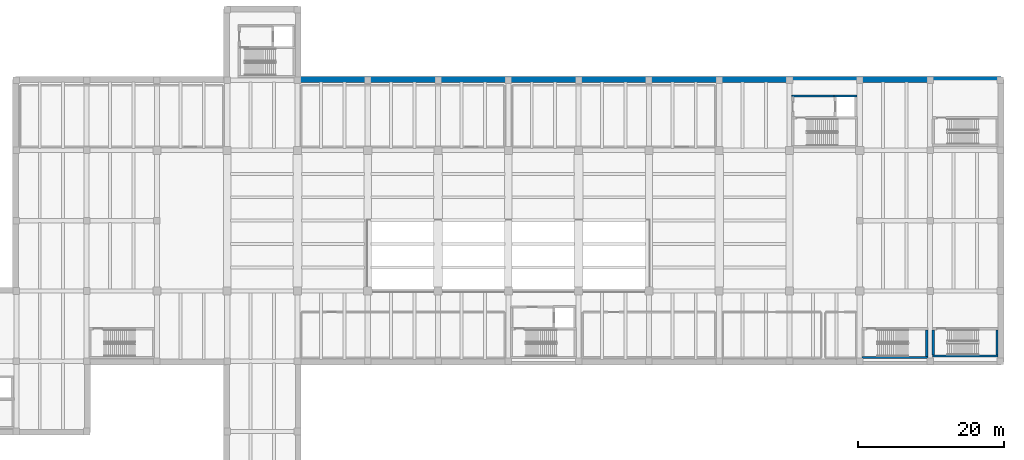
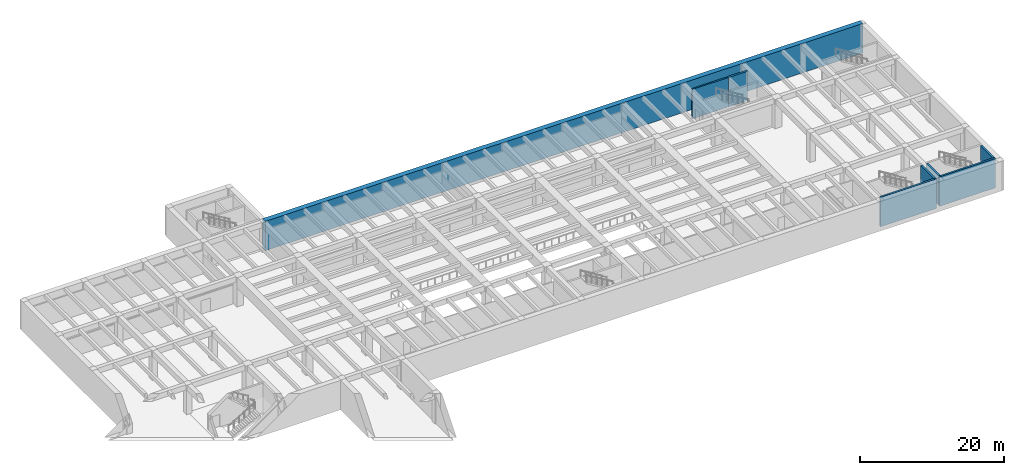
# One storey, part 9 of 19: 8 walls.
"""IFC4 building model written with IfcOpenShell, lengths in metres."""

import ifcopenshell
import ifcopenshell.guid

model = None  # the IFC model being written
_history = None  # IfcOwnerHistory: only IFC2X3 demands one
_inside = {}  # id of a spatial element -> (the spatial element, [elements in it])
_under = {}  # id of a project, library or spatial element -> (it, [spatial elements below it])
_declared = {}  # id of a project -> (the project, [libraries it declares])
_typed = {}  # id of a type object -> (the type object, [elements of that type])
_made_of = {}  # id of a material, layer set ... -> (it, [elements and type objects made of it])


def new_model(schema):
    """Start an empty IFC model of exactly this schema.

    Asked for "IFC4X3", IfcOpenShell would pick the latest addendum, in which some entities
    have other attributes; the version numbers below select the first issue.
    IFC2X3 requires an IfcOwnerHistory on every rooted entity: one is made here for all.
    """
    global model, _history
    if schema == "IFC4X3":
        model = ifcopenshell.file(schema_version=(4, 3, 0, 0))
    else:
        model = ifcopenshell.file(schema=schema)
    _inside.clear()
    _under.clear()
    _declared.clear()
    _typed.clear()
    _made_of.clear()
    _history = None
    if model.schema == "IFC2X3":
        org = make("IfcOrganization", Name="unknown")
        user = make(
            "IfcPersonAndOrganization",
            ThePerson=make("IfcPerson", FamilyName="unknown"),
            TheOrganization=org,
        )
        app = make(
            "IfcApplication",
            ApplicationDeveloper=org,
            Version="unknown",
            ApplicationFullName="unknown",
            ApplicationIdentifier="unknown",
        )
        _history = make(
            "IfcOwnerHistory",
            OwningUser=user,
            OwningApplication=app,
            ChangeAction="ADDED",
            CreationDate=0,
        )
    return model


def make(cls, **values):
    """One entity of the class cls with the attributes given. An attribute that is None is left unset."""
    return model.create_entity(
        cls, **{name: value for name, value in values.items() if value is not None}
    )


def rooted(cls, **values):
    """An entity with a GlobalId (a new one), such as an element, a storey or a relation."""
    return make(cls, GlobalId=ifcopenshell.guid.new(), OwnerHistory=_history, **values)


def si_unit(unit_type, name, prefix=None):
    """IfcSIUnit, for example si_unit("LENGTHUNIT", "METRE", prefix="MILLI")."""
    return make("IfcSIUnit", UnitType=unit_type, Prefix=prefix, Name=name)


def assignment(units):
    """IfcUnitAssignment: the units of a project."""
    return None if units is None else make("IfcUnitAssignment", Units=units)


def point(xyz):
    """IfcCartesianPoint."""
    return None if xyz is None else make("IfcCartesianPoint", Coordinates=xyz)


def direction(xyz):
    """IfcDirection."""
    return None if xyz is None else make("IfcDirection", DirectionRatios=xyz)


def frame(location, z_axis=None, x_axis=None):
    """IfcAxis2Placement3D, a coordinate frame: its origin and axes. An axis left out is left unset."""
    return make(
        "IfcAxis2Placement3D",
        Location=point(location),
        Axis=direction(z_axis),
        RefDirection=direction(x_axis),
    )


def frame_2d(location, x_axis=None):
    """IfcAxis2Placement2D, a coordinate frame in the plane: its origin and x axis."""
    return make(
        "IfcAxis2Placement2D", Location=point(location), RefDirection=direction(x_axis)
    )


def origin():
    """The frame at (0, 0, 0) with its axes left unset."""
    return frame((0.0, 0.0, 0.0))


def place(relative_to, where):
    """IfcLocalPlacement: puts the frame where relative to a parent placement (None: the world)."""
    return make(
        "IfcLocalPlacement", PlacementRelTo=relative_to, RelativePlacement=where
    )


def context(
    kind, dimensions, precision=None, world=None, true_north=None, identifier=None
):
    """IfcGeometricRepresentationContext, for example the 3D "Model" context."""
    return make(
        "IfcGeometricRepresentationContext",
        ContextIdentifier=identifier,
        ContextType=kind,
        CoordinateSpaceDimension=dimensions,
        Precision=precision,
        WorldCoordinateSystem=world,
        TrueNorth=true_north,
    )


def subcontext(parent, identifier, kind, view, scale=None):
    """IfcGeometricRepresentationSubContext, for example "Body" below "Model"."""
    return make(
        "IfcGeometricRepresentationSubContext",
        ContextIdentifier=identifier,
        ContextType=kind,
        ParentContext=parent,
        TargetScale=scale,
        TargetView=view,
    )


def project(units=None, contexts=None):
    """IfcProject with its units and contexts."""
    return rooted(
        "IfcProject",
        Name="project",
        RepresentationContexts=contexts,
        UnitsInContext=assignment(units),
    )


def spatial(cls, under=None, at=None, **own):
    """A site, building, storey or space (cls), placed at a placement, below another one or the project."""
    s = rooted(cls, ObjectPlacement=at, **own)
    if under is not None:
        _under.setdefault(under.id(), (under, []))[1].append(s)
    return s


def profile(cls, at=None, kind="AREA", **sizes):
    """A parametric profile (cls). Its sizes go by their IFC names, for example OverallWidth=200.0."""
    return make(cls, ProfileType=kind, Position=at, **sizes)


def rectangle(**sizes):
    """IfcRectangleProfileDef."""
    return profile("IfcRectangleProfileDef", **sizes)


def extrude(swept, where, along, depth):
    """IfcExtrudedAreaSolid: the profile swept, set in the frame where, extruded along a direction by depth."""
    return make(
        "IfcExtrudedAreaSolid",
        SweptArea=swept,
        Position=where,
        ExtrudedDirection=direction(along),
        Depth=depth,
    )


def shape(context_of_items, identifier, shape_type, items):
    """IfcShapeRepresentation: the items that make up one representation, for example the "Body"."""
    return make(
        "IfcShapeRepresentation",
        ContextOfItems=context_of_items,
        RepresentationIdentifier=identifier,
        RepresentationType=shape_type,
        Items=items,
    )


def material(Name=None, Category=None):
    """IfcMaterial."""
    return make("IfcMaterial", Name=Name, Category=Category)


def layer(
    of_material, thickness, ventilated=None, Name=None, Category=None, Priority=None
):
    """IfcMaterialLayer: one layer of a wall or slab, of a material (None: an air gap)."""
    return make(
        "IfcMaterialLayer",
        Material=of_material,
        LayerThickness=thickness,
        IsVentilated=ventilated,
        Name=Name,
        Category=Category,
        Priority=Priority,
    )


def layer_set(layers, Name=None):
    """IfcMaterialLayerSet."""
    return make("IfcMaterialLayerSet", MaterialLayers=layers, LayerSetName=Name)


def made_of(thing, what):
    """Note that an element or type object is made of a material, layer set ...; save() writes the relation."""
    if what is not None:
        _made_of.setdefault(what.id(), (what, []))[1].append(thing)
    return thing


def type_object(cls, material=None, **own):
    """A type object (cls), such as IfcWallType, which elements share."""
    return made_of(rooted(cls, **own), material)


def element(
    cls,
    number,
    at=None,
    inside=None,
    cuts=None,
    type_object=None,
    material=None,
    context=None,
    identifier="Body",
    shape_type=None,
    held_by="IfcProductDefinitionShape",
    body=None,
    shapes=None,
    **own,
):
    """One element of the class cls, such as IfcWall. Its Tag is "e" and its number.

    at: its placement. inside: the storey or other place that contains it. cuts: it is an
    opening in that element (IfcRelVoidsElement). A single representation is given by context,
    identifier, shape_type and body (its items); several are given by shapes. held_by: the class
    of the entity that holds the representations. save() writes the other relations.
    """
    e = rooted(cls, Tag="e%d" % number, ObjectPlacement=at, **own)
    if body is not None:
        shapes = [shape(context, identifier, shape_type, body)]
    if shapes is not None:
        e.Representation = make(held_by, Representations=shapes)
    if inside is not None:
        _inside.setdefault(inside.id(), (inside, []))[1].append(e)
    if cuts is not None:
        rooted(
            "IfcRelVoidsElement", RelatingBuildingElement=cuts, RelatedOpeningElement=e
        )
    if type_object is not None:
        _typed.setdefault(type_object.id(), (type_object, []))[1].append(e)
    return made_of(e, material)


def aggregate(whole, parts):
    """IfcRelAggregates: a whole, such as a stair, and the parts it consists of."""
    return rooted("IfcRelAggregates", RelatingObject=whole, RelatedObjects=parts)


def save(model, path):
    """Write the relations noted so far, then the file.

    IfcRelAggregates (storeys below a building ...), IfcRelContainedInSpatialStructure (elements
    in a storey), IfcRelDefinesByType, IfcRelAssociatesMaterial and IfcRelDeclares: one each for
    every whole, place, type object, material and project.
    """
    for whole, parts in _under.values():
        aggregate(whole, parts)
    for where, things in _inside.values():
        rooted(
            "IfcRelContainedInSpatialStructure",
            RelatedElements=things,
            RelatingStructure=where,
        )
    for kind, things in _typed.values():
        rooted("IfcRelDefinesByType", RelatedObjects=things, RelatingType=kind)
    for what, things in _made_of.values():
        rooted("IfcRelAssociatesMaterial", RelatedObjects=things, RelatingMaterial=what)
    for by, libraries in _declared.values():
        rooted("IfcRelDeclares", RelatingContext=by, RelatedDefinitions=libraries)
    model.write(path)


model = new_model("IFC4")

# Units and contexts
model_context = context("Model", 3, precision=1e-05, world=origin(), true_north=direction((0.0, 1.0)))
body_context = subcontext(model_context, "Body", "Model", "MODEL_VIEW")
ifc_project = project(units=[si_unit("LENGTHUNIT", "METRE"), si_unit("AREAUNIT", "SQUARE_METRE"), si_unit("VOLUMEUNIT", "CUBIC_METRE"), si_unit("PLANEANGLEUNIT", "RADIAN"), si_unit("MASSUNIT", "GRAM", prefix="KILO")], contexts=[model_context])

# Site, building, storey
site_placement = place(None, origin())
site = spatial("IfcSite", under=ifc_project, at=site_placement, CompositionType="ELEMENT")
building_placement = place(site_placement, origin())
building = spatial("IfcBuilding", under=site, at=building_placement, Name="Coralgate Yard Interchange", CompositionType="ELEMENT")
storey_placement = place(building_placement, frame((0.0, 0.0, -5.39990234375)))
storey = spatial("IfcBuildingStorey", under=building, at=storey_placement, Name="B1", CompositionType="ELEMENT", Elevation=-5.39990234375)

# Walls
ifc_material = material(Name="Concrete C40/50", Category="concrete")
ifc_layer_1 = layer(ifc_material, 0.300048828125)
ifc_layer_set_1 = layer_set([ifc_layer_1], Name="Concrete C40/50")
wall_type_1 = type_object("IfcWallType", Name="WAL-CW300", PredefinedType="SHEAR", material=ifc_layer_set_1)
wall_1_placement = place(storey_placement, frame((144.300048828125, 39.110107421875, 0.0), z_axis=(0.0, 0.0, 1.0), x_axis=(1.0, 0.0, 0.0)))
element("IfcWall", 1, at=wall_1_placement, inside=storey, type_object=wall_type_1, Name="C10 B1 stair south shear wall", PredefinedType="SHEAR", context=body_context, shape_type="SweptSolid", body=[
    extrude(rectangle(XDim=9.0, YDim=0.300048828125, at=frame_2d((4.5, 0.0))), origin(), (0.0, 0.0, 1.0), 5.0),
])
for number, where, z_axis, x_axis, name in (
    (2, (144.449951171875, 39.260009765625, 0.0), (0.0, 0.0, 1.0), (0.0, 1.0, 0.0), "C10 B1 stair west shear wall"),
    (3, (153.14990234375, 42.699951171875, 0.0), (0.0, 0.0, 1.0), (0.0, -1.0, 0.0), "C10 B1 stair east shear wall"),
):
    element("IfcWall", number, at=place(storey_placement, frame(where, z_axis=z_axis, x_axis=x_axis)), inside=storey, type_object=wall_type_1, Name=name, PredefinedType="SHEAR", context=body_context, shape_type="SweptSolid", body=[
        extrude(rectangle(XDim=3.43994140625, YDim=0.300048828125, at=frame_2d((1.719970703125, 0.0))), origin(), (0.0, 0.0, 1.0), 5.0),
    ])
wall_2_placement = place(storey_placement, frame((134.699951171875, 38.89990234375, 0.0), z_axis=(0.0, 0.0, 1.0), x_axis=(1.0, 0.0, 0.0)))
element("IfcWall", 4, at=wall_2_placement, inside=storey, type_object=wall_type_1, Name="C13 B1 stair south shear wall", PredefinedType="SHEAR", context=body_context, shape_type="SweptSolid", body=[
    extrude(rectangle(XDim=9.0, YDim=0.300048828125, at=frame_2d((4.5, 0.0))), origin(), (0.0, 0.0, 1.0), 5.0),
])
wall_3_placement = place(storey_placement, frame((143.550048828125, 42.699951171875, 0.0), z_axis=(0.0, 0.0, 1.0), x_axis=(0.0, -1.0, 0.0)))
element("IfcWall", 5, at=wall_3_placement, inside=storey, type_object=wall_type_1, Name="C13 B1 stair east shear wall", PredefinedType="SHEAR", context=body_context, shape_type="SweptSolid", body=[
    extrude(rectangle(XDim=3.64990234375, YDim=0.300048828125, at=frame_2d((1.824951171875, 0.0))), origin(), (0.0, 0.0, 1.0), 5.0),
])
wall_4_placement = place(storey_placement, frame((130.89990234375, 74.64990234375, 0.0), z_axis=(0.0, 0.0, 1.0), x_axis=(1.0, 0.0, 0.0)))
element("IfcWall", 6, at=wall_4_placement, inside=storey, type_object=wall_type_1, Name="C7 B1 lift north shear wall", PredefinedType="SHEAR", context=body_context, shape_type="SweptSolid", body=[
    extrude(rectangle(XDim=3.10009765625, YDim=0.300048828125, at=frame_2d((1.550048828125, 0.0))), origin(), (0.0, 0.0, 1.0), 5.0),
])
ifc_layer_2 = layer(ifc_material, 0.800048828125)
ifc_layer_set_2 = layer_set([ifc_layer_2], Name="Concrete C40/50")
wall_type_2 = type_object("IfcWallType", Name="WAL-DW800", PredefinedType="SOLIDWALL", material=ifc_layer_set_2)
wall_5_placement = place(storey_placement, frame((57.699951171875, 76.89990234375, 0.0), z_axis=(0.0, 0.0, 1.0), x_axis=(1.0, 0.0, 0.0)))
element("IfcWall", 7, at=wall_5_placement, inside=storey, type_object=wall_type_2, Name="B1 diaphragm retaining wall 11", PredefinedType="SOLIDWALL", context=body_context, shape_type="SweptSolid", body=[
    extrude(rectangle(XDim=96.0, YDim=0.800048828125, at=frame_2d((48.0, 0.0))), origin(), (0.0, 0.0, 1.0), 5.0),
])
ifc_layer_3 = layer(ifc_material, 0.25)
ifc_layer_set_3 = layer_set([ifc_layer_3], Name="Concrete C40/50")
wall_type_3 = type_object("IfcWallType", Name="WAL-SW250", PredefinedType="SHEAR", material=ifc_layer_set_3)
wall_6_placement = place(storey_placement, frame((130.89990234375, 74.625, 0.0), z_axis=(0.0, 0.0, 1.0), x_axis=(-1.0, 0.0, 0.0)))
element("IfcWall", 8, at=wall_6_placement, inside=storey, type_object=wall_type_3, Name="C7 B1 lobby north fire wall", PredefinedType="SHEAR", context=body_context, shape_type="SweptSolid", body=[
    extrude(rectangle(XDim=5.77490234375, YDim=0.25, at=frame_2d((2.887451171875, 0.0))), origin(), (0.0, 0.0, 1.0), 5.0),
])

save(model, "model.ifc")
